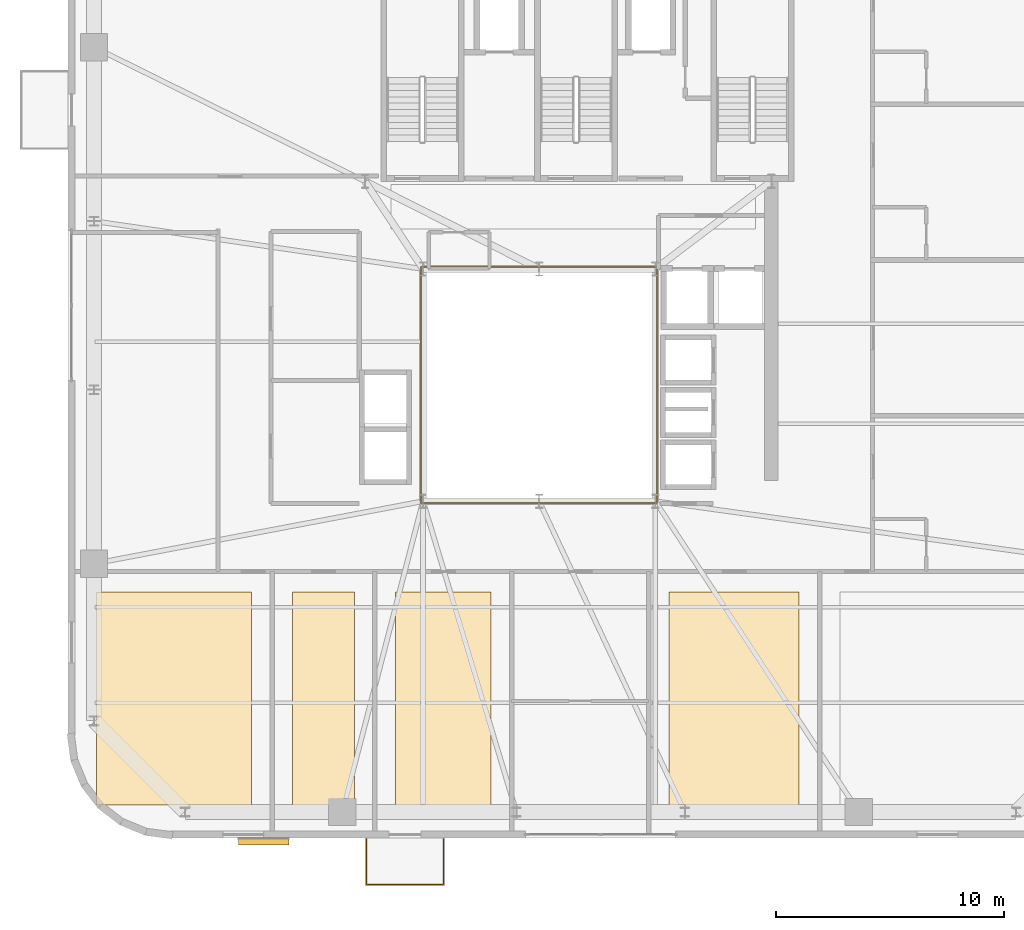
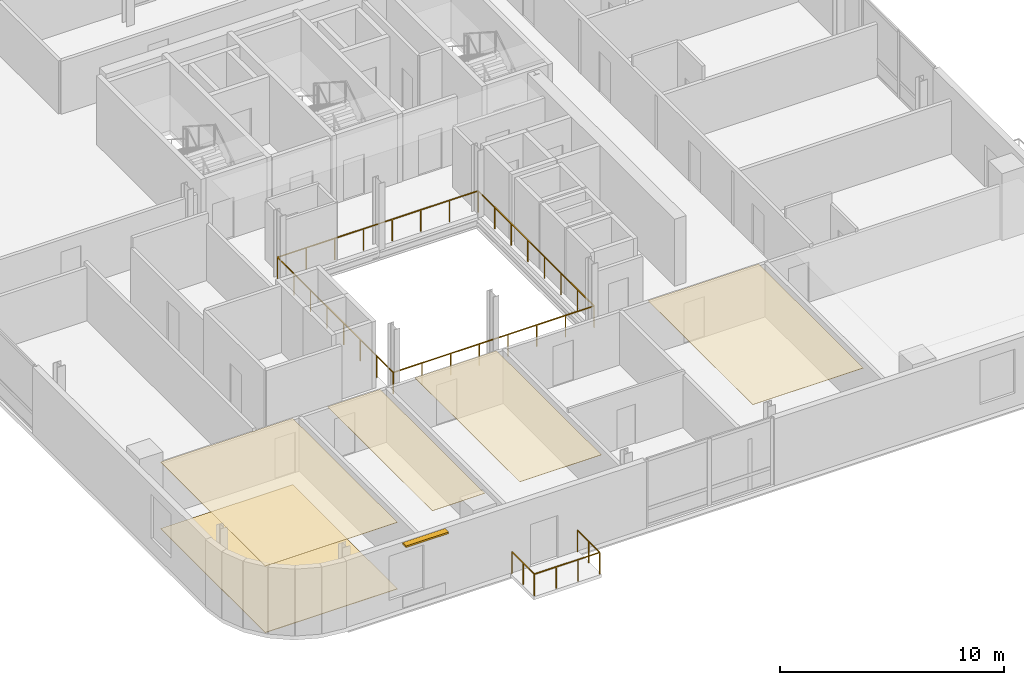
# One storey, part 12 of 15: 5 coverings, 2 railings, 1 shading device.
"""IFC4 building model written with IfcOpenShell, lengths in metres."""

from ifc_helpers import new_model, si_unit, direction, frame, origin, origin_2d, place, context, subcontext, project, spatial, polyline, rectangle, outline, extrude, source, transform, mapped, material, layer, layer_set, type_object, element, save


model = new_model("IFC4")

# Units and contexts
model_context = context("Model", 3, precision=1e-05, world=origin(), true_north=direction((0.0, 1.0)))
body_context = subcontext(model_context, "Body", "Model", "MODEL_VIEW")
ifc_project = project(units=[si_unit("LENGTHUNIT", "METRE"), si_unit("AREAUNIT", "SQUARE_METRE"), si_unit("VOLUMEUNIT", "CUBIC_METRE"), si_unit("PLANEANGLEUNIT", "RADIAN"), si_unit("MASSUNIT", "GRAM", prefix="KILO")], contexts=[model_context])

# Site, building, storey
site_placement = place(None, origin())
site = spatial("IfcSite", under=ifc_project, at=site_placement, CompositionType="ELEMENT")
building_placement = place(site_placement, origin())
building = spatial("IfcBuilding", under=site, at=building_placement, Name="Vardaveli Station Tower", CompositionType="ELEMENT")
storey_placement = place(building_placement, frame((0.0, 0.0, 250.60009765625)))
storey = spatial("IfcBuildingStorey", under=building, at=storey_placement, Name="L64", CompositionType="ELEMENT", Elevation=250.60009765625)

# Coverings
ifc_material_1 = material(Name="Perforated acoustic mineral ceiling")
ifc_layer_1 = layer(ifc_material_1, 0.02001953125, Name="Perforated acoustic mineral ceiling")
ifc_layer_set_1 = layer_set([ifc_layer_1], Name="Perforated acoustic mineral ceiling")
covering_type_1 = type_object("IfcCoveringType", Name="COV-CEIL-AC20", PredefinedType="CEILING", material=ifc_layer_set_1)
covering_1_placement = place(storey_placement, frame((0.0, 0.0, 3.635009765625)))
element("IfcCovering", 1, at=covering_1_placement, inside=storey, type_object=covering_type_1, Name="CEIL-L64-1", PredefinedType="CEILING", context=body_context, shape_type="SweptSolid", body=[
    extrude(outline(polyline([(16.85009765625, 3.25), (23.669921875, 3.25), (23.669921875, 12.610107421875), (16.85009765625, 12.610107421875), (16.85009765625, 3.25)])), origin(), (0.0, 0.0, 1.0), 0.019775390625),
])
covering_2_placement = place(storey_placement, frame((0.0, 0.0, 3.635009765625)))
element("IfcCovering", 2, at=covering_2_placement, inside=storey, type_object=covering_type_1, Name="CEIL-L64-2", PredefinedType="CEILING", context=body_context, shape_type="SweptSolid", body=[
    extrude(outline(polyline([(25.469970703125, 3.25), (28.1826171875, 3.25), (28.1826171875, 12.610107421875), (25.469970703125, 12.610107421875), (25.469970703125, 3.25)])), origin(), (0.0, 0.0, 1.0), 0.019775390625),
])
covering_3_placement = place(storey_placement, frame((0.0, 0.0, 3.635009765625)))
element("IfcCovering", 3, at=covering_3_placement, inside=storey, type_object=covering_type_1, Name="CEIL-L64-3", PredefinedType="CEILING", context=body_context, shape_type="SweptSolid", body=[
    extrude(outline(polyline([(29.982421875, 3.25), (34.195068359375, 3.25), (34.195068359375, 12.610107421875), (29.982421875, 12.610107421875), (29.982421875, 3.25)])), origin(), (0.0, 0.0, 1.0), 0.019775390625),
])
covering_4_placement = place(storey_placement, frame((0.0, 0.0, 3.635009765625)))
element("IfcCovering", 4, at=covering_4_placement, inside=storey, type_object=covering_type_1, Name="CEIL-L64-4", PredefinedType="CEILING", context=body_context, shape_type="SweptSolid", body=[
    extrude(outline(polyline([(42.007568359375, 3.25), (47.719970703125, 3.25), (47.719970703125, 12.610107421875), (42.007568359375, 12.610107421875), (42.007568359375, 3.25)])), origin(), (0.0, 0.0, 1.0), 0.019775390625),
])
ifc_material_2 = material(Name="Honed Caucasian basalt and travertine flooring", Category="masonry")
ifc_layer_2 = layer(ifc_material_2, 0.030029296875, Name="Honed Caucasian basalt and travertine flooring")
ifc_layer_set_2 = layer_set([ifc_layer_2], Name="Honed Caucasian basalt and travertine flooring")
covering_type_2 = type_object("IfcCoveringType", Name="COV-FLOOR-ST30", PredefinedType="FLOORING", material=ifc_layer_set_2)
covering_5_placement = place(storey_placement, origin())
element("IfcCovering", 5, at=covering_5_placement, inside=storey, type_object=covering_type_2, Name="FLR-L64-1", PredefinedType="FLOORING", context=body_context, shape_type="SweptSolid", body=[
    extrude(outline(polyline([(16.85009765625, 3.25), (23.669921875, 3.25), (23.669921875, 12.610107421875), (16.85009765625, 12.610107421875), (16.85009765625, 3.25)])), origin(), (0.0, 0.0, 1.0), 0.02978515625),
])

# Railing
ifc_material_3 = material(Name="Laminated glass and stainless steel balustrade", Category="steel")
railing_type = type_object("IfcRailingType", Name="RL-BAL-1200", PredefinedType="BALUSTRADE", material=ifc_material_3)
shared_shape_1 = source(origin(), body_context, "Body", "SweptSolid", [
    extrude(rectangle(XDim=0.048095703125, YDim=0.048095703125, at=origin_2d()), frame((0.0, 0.0, 1.17578125), z_axis=(0.0, -1.0, 0.0), x_axis=(1.0, 0.0, 0.0)), (0.0, 0.0, 1.0), 2.0),
    extrude(rectangle(XDim=0.048095703125, YDim=0.048095703125, at=origin_2d()), frame((0.0, -2.0, 1.17578125), z_axis=(1.0, 0.0, 0.0), x_axis=(0.0, 1.0, 0.0)), (0.0, 0.0, 1.0), 3.3798828125),
    extrude(rectangle(XDim=0.048095703125, YDim=0.048095703125, at=origin_2d()), frame((3.3798828125, -2.0, 1.17578125), z_axis=(0.0, 1.0, 0.0), x_axis=(-1.0, 0.0, 0.0)), (0.0, 0.0, 1.0), 2.0),
    extrude(rectangle(XDim=0.0419921875, YDim=0.0419921875, at=origin_2d()), origin(), (0.0, 0.0, 1.0), 1.15185546875),
    extrude(rectangle(XDim=0.0419921875, YDim=0.0419921875, at=origin_2d()), frame((0.0, -1.0, 0.0)), (0.0, 0.0, 1.0), 1.15185546875),
    extrude(rectangle(XDim=0.0419921875, YDim=0.0419921875, at=origin_2d()), frame((0.0, -2.0, 0.0)), (0.0, 0.0, 1.0), 1.15185546875),
    extrude(rectangle(XDim=0.0419921875, YDim=0.0419921875, at=origin_2d()), frame((1.126708984375, -2.0, 0.0)), (0.0, 0.0, 1.0), 1.15185546875),
    extrude(rectangle(XDim=0.0419921875, YDim=0.0419921875, at=origin_2d()), frame((2.253173828125, -2.0, 0.0)), (0.0, 0.0, 1.0), 1.15185546875),
    extrude(rectangle(XDim=0.0419921875, YDim=0.0419921875, at=origin_2d()), frame((3.3798828125, -2.0, 0.0)), (0.0, 0.0, 1.0), 1.15185546875),
    extrude(rectangle(XDim=0.0419921875, YDim=0.0419921875, at=origin_2d()), frame((3.3798828125, -1.0, 0.0)), (0.0, 0.0, 1.0), 1.15185546875),
    extrude(rectangle(XDim=0.0419921875, YDim=0.0419921875, at=origin_2d()), frame((3.3798828125, 0.0, 0.0)), (0.0, 0.0, 1.0), 1.15185546875),
])
railing_1_placement = place(storey_placement, frame((28.720458984375, 1.760009765625, 0.0)))
element("IfcRailing", 6, at=railing_1_placement, inside=storey, type_object=railing_type, Name="RL-LOG-L64-01", PredefinedType="BALUSTRADE", context=body_context, shape_type="MappedRepresentation", body=[
    mapped(shared_shape_1, transform((0.0, 0.0, 0.0), scale=1.0)),
])

# Shading device
ifc_material_4 = material(Name="Anodised champagne aluminium sunshade", Category="aluminium")
ifc_layer_3 = layer(ifc_material_4, 0.090087890625, Name="Anodised champagne aluminium sunshade")
ifc_layer_set_3 = layer_set([ifc_layer_3], Name="Anodised champagne aluminium sunshade")
shading_device_type = type_object("IfcShadingDeviceType", Name="SHD-SUNSHADE", PredefinedType="USERDEFINED", material=ifc_layer_set_3)
shared_shape_2 = source(origin(), body_context, "Body", "SweptSolid", [
    extrude(rectangle(XDim=2.199951171875, YDim=0.320068359375, at=origin_2d()), origin(), (0.0, 0.0, 1.0), 0.090087890625),
])
shading_device_placement = place(storey_placement, frame((24.205078125, 1.655029296875, 3.52978515625), z_axis=(0.0, 0.0, 1.0), x_axis=(1.0, 0.0, 0.0)))
element("IfcShadingDevice", 7, at=shading_device_placement, inside=storey, type_object=shading_device_type, Name="SHD-SS-L64-S", ObjectType="SUNSHADE", PredefinedType="USERDEFINED", context=body_context, shape_type="MappedRepresentation", body=[
    mapped(shared_shape_2, transform((0.0, 0.0, 0.0), scale=1.0)),
])

# Railing
shared_shape_3 = source(origin(), body_context, "Body", "SweptSolid", [
    extrude(rectangle(XDim=0.048095703125, YDim=0.048095703125, at=origin_2d()), frame((0.0, 0.0, 1.17578125), z_axis=(1.0, 0.0, 0.0), x_axis=(0.0, 1.0, 0.0)), (0.0, 0.0, 1.0), 10.35986328125),
    extrude(rectangle(XDim=0.048095703125, YDim=0.048095703125, at=origin_2d()), frame((10.35986328125, 0.0, 1.17578125), z_axis=(0.0, 1.0, 0.0), x_axis=(-1.0, 0.0, 0.0)), (0.0, 0.0, 1.0), 10.35986328125),
    extrude(rectangle(XDim=0.048095703125, YDim=0.048095703125, at=origin_2d()), frame((10.35986328125, 10.35986328125, 1.17578125), z_axis=(-1.0, 0.0, 0.0), x_axis=(0.0, -1.0, 0.0)), (0.0, 0.0, 1.0), 10.35986328125),
    extrude(rectangle(XDim=0.048095703125, YDim=0.048095703125, at=origin_2d()), frame((0.0, 10.35986328125, 1.17578125), z_axis=(0.0, -1.0, 0.0), x_axis=(1.0, 0.0, 0.0)), (0.0, 0.0, 1.0), 10.35986328125),
    extrude(rectangle(XDim=0.0419921875, YDim=0.0419921875, at=origin_2d()), origin(), (0.0, 0.0, 1.0), 1.15185546875),
    extrude(rectangle(XDim=0.0419921875, YDim=0.0419921875, at=origin_2d()), frame((1.47998046875, 0.0, 0.0)), (0.0, 0.0, 1.0), 1.15185546875),
    extrude(rectangle(XDim=0.0419921875, YDim=0.0419921875, at=origin_2d()), frame((2.9599609375, 0.0, 0.0)), (0.0, 0.0, 1.0), 1.15185546875),
    extrude(rectangle(XDim=0.0419921875, YDim=0.0419921875, at=origin_2d()), frame((4.43994140625, 0.0, 0.0)), (0.0, 0.0, 1.0), 1.15185546875),
    extrude(rectangle(XDim=0.0419921875, YDim=0.0419921875, at=origin_2d()), frame((5.919921875, 0.0, 0.0)), (0.0, 0.0, 1.0), 1.15185546875),
    extrude(rectangle(XDim=0.0419921875, YDim=0.0419921875, at=origin_2d()), frame((7.39990234375, 0.0, 0.0)), (0.0, 0.0, 1.0), 1.15185546875),
    extrude(rectangle(XDim=0.0419921875, YDim=0.0419921875, at=origin_2d()), frame((8.8798828125, 0.0, 0.0)), (0.0, 0.0, 1.0), 1.15185546875),
    extrude(rectangle(XDim=0.0419921875, YDim=0.0419921875, at=origin_2d()), frame((10.35986328125, 0.0, 0.0)), (0.0, 0.0, 1.0), 1.15185546875),
    extrude(rectangle(XDim=0.0419921875, YDim=0.0419921875, at=origin_2d()), frame((10.35986328125, 1.47998046875, 0.0)), (0.0, 0.0, 1.0), 1.15185546875),
    extrude(rectangle(XDim=0.0419921875, YDim=0.0419921875, at=origin_2d()), frame((10.35986328125, 2.9599609375, 0.0)), (0.0, 0.0, 1.0), 1.15185546875),
    extrude(rectangle(XDim=0.0419921875, YDim=0.0419921875, at=origin_2d()), frame((10.35986328125, 4.43994140625, 0.0)), (0.0, 0.0, 1.0), 1.15185546875),
    extrude(rectangle(XDim=0.0419921875, YDim=0.0419921875, at=origin_2d()), frame((10.35986328125, 5.919921875, 0.0)), (0.0, 0.0, 1.0), 1.15185546875),
    extrude(rectangle(XDim=0.0419921875, YDim=0.0419921875, at=origin_2d()), frame((10.35986328125, 7.39990234375, 0.0)), (0.0, 0.0, 1.0), 1.15185546875),
    extrude(rectangle(XDim=0.0419921875, YDim=0.0419921875, at=origin_2d()), frame((10.35986328125, 8.8798828125, 0.0)), (0.0, 0.0, 1.0), 1.15185546875),
    extrude(rectangle(XDim=0.0419921875, YDim=0.0419921875, at=origin_2d()), frame((10.35986328125, 10.35986328125, 0.0)), (0.0, 0.0, 1.0), 1.15185546875),
    extrude(rectangle(XDim=0.0419921875, YDim=0.0419921875, at=origin_2d()), frame((8.8798828125, 10.35986328125, 0.0)), (0.0, 0.0, 1.0), 1.15185546875),
    extrude(rectangle(XDim=0.0419921875, YDim=0.0419921875, at=origin_2d()), frame((7.39990234375, 10.35986328125, 0.0)), (0.0, 0.0, 1.0), 1.15185546875),
    extrude(rectangle(XDim=0.0419921875, YDim=0.0419921875, at=origin_2d()), frame((5.919921875, 10.35986328125, 0.0)), (0.0, 0.0, 1.0), 1.15185546875),
    extrude(rectangle(XDim=0.0419921875, YDim=0.0419921875, at=origin_2d()), frame((4.43994140625, 10.35986328125, 0.0)), (0.0, 0.0, 1.0), 1.15185546875),
    extrude(rectangle(XDim=0.0419921875, YDim=0.0419921875, at=origin_2d()), frame((2.9599609375, 10.35986328125, 0.0)), (0.0, 0.0, 1.0), 1.15185546875),
    extrude(rectangle(XDim=0.0419921875, YDim=0.0419921875, at=origin_2d()), frame((1.47998046875, 10.35986328125, 0.0)), (0.0, 0.0, 1.0), 1.15185546875),
    extrude(rectangle(XDim=0.0419921875, YDim=0.0419921875, at=origin_2d()), frame((0.0, 10.35986328125, 0.0)), (0.0, 0.0, 1.0), 1.15185546875),
    extrude(rectangle(XDim=0.0419921875, YDim=0.0419921875, at=origin_2d()), frame((0.0, 8.8798828125, 0.0)), (0.0, 0.0, 1.0), 1.15185546875),
    extrude(rectangle(XDim=0.0419921875, YDim=0.0419921875, at=origin_2d()), frame((0.0, 7.39990234375, 0.0)), (0.0, 0.0, 1.0), 1.15185546875),
    extrude(rectangle(XDim=0.0419921875, YDim=0.0419921875, at=origin_2d()), frame((0.0, 5.919921875, 0.0)), (0.0, 0.0, 1.0), 1.15185546875),
    extrude(rectangle(XDim=0.0419921875, YDim=0.0419921875, at=origin_2d()), frame((0.0, 4.43994140625, 0.0)), (0.0, 0.0, 1.0), 1.15185546875),
    extrude(rectangle(XDim=0.0419921875, YDim=0.0419921875, at=origin_2d()), frame((0.0, 2.9599609375, 0.0)), (0.0, 0.0, 1.0), 1.15185546875),
    extrude(rectangle(XDim=0.0419921875, YDim=0.0419921875, at=origin_2d()), frame((0.0, 1.47998046875, 0.0)), (0.0, 0.0, 1.0), 1.15185546875),
])
railing_2_placement = place(storey_placement, frame((31.1201171875, 16.52001953125, 0.0)))
element("IfcRailing", 8, at=railing_2_placement, inside=storey, type_object=railing_type, Name="RL-ATR-L64", PredefinedType="BALUSTRADE", context=body_context, shape_type="MappedRepresentation", body=[
    mapped(shared_shape_3, transform((0.0, 0.0, 0.0), scale=1.0)),
])

save(model, "model.ifc")
